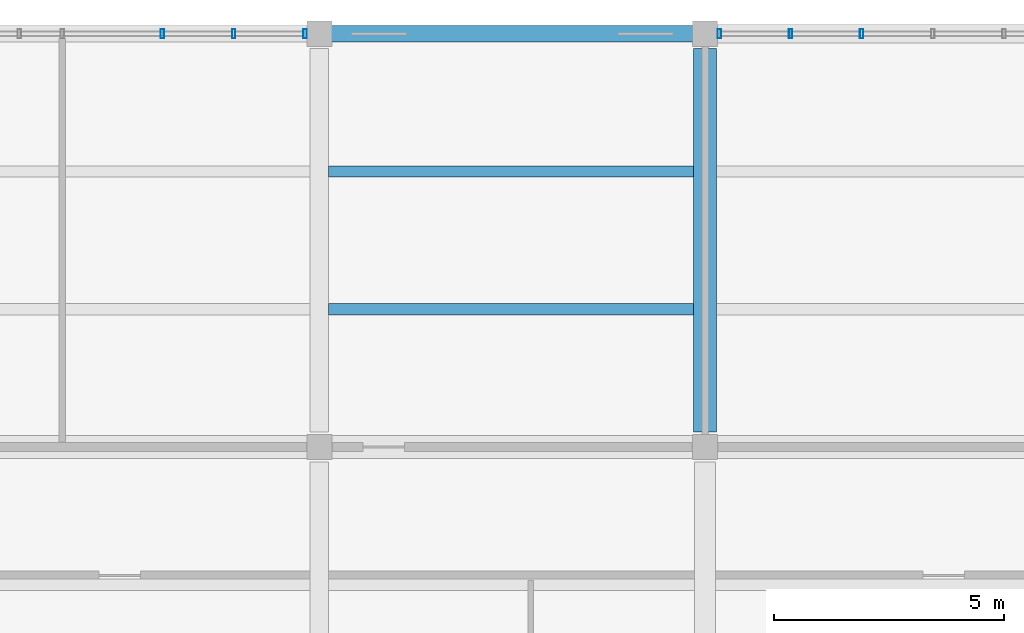
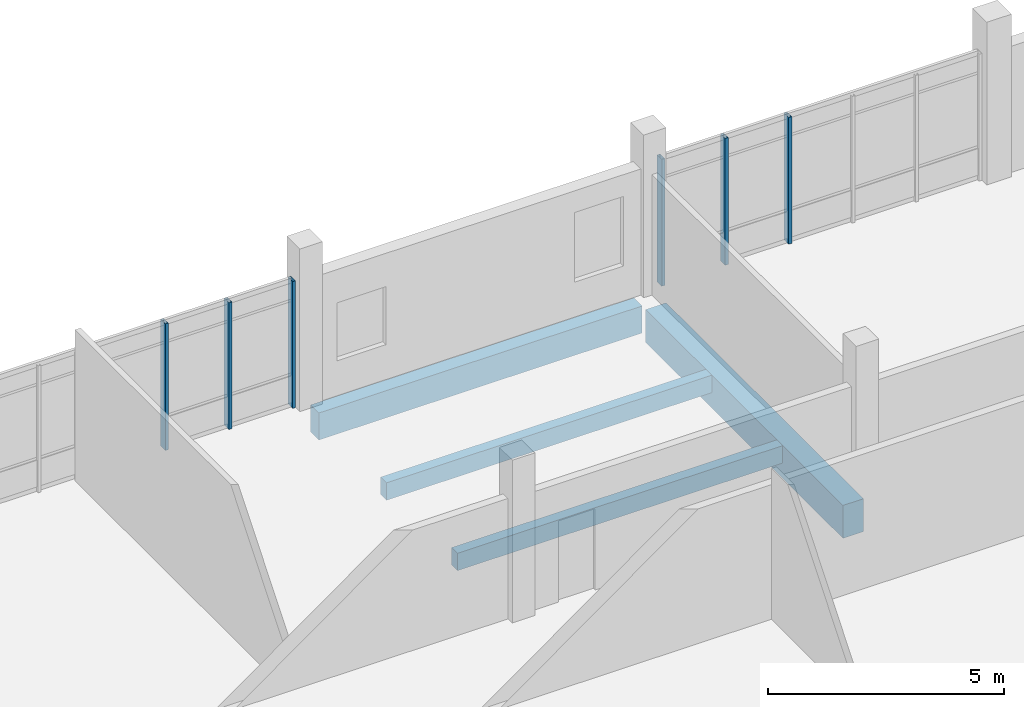
# One storey, part 80 of 130: 6 members, 4 beams, 2 elements without a shape of their own.
"""IFC4 building model written with IfcOpenShell, lengths in metres."""

from ifc_helpers import new_model, si_unit, direction, frame, origin, origin_2d, place, context, subcontext, project, spatial, rectangle, hollow_rectangle, extrude, material, layer, layer_set, material_profile, profile_set, type_object, element, aggregate, save


model = new_model("IFC4")

# Units and contexts
model_context = context("Model", 3, precision=1e-05, world=origin(), true_north=direction((0.0, 1.0)))
body_context = subcontext(model_context, "Body", "Model", "MODEL_VIEW")
ifc_project = project(units=[si_unit("LENGTHUNIT", "METRE"), si_unit("AREAUNIT", "SQUARE_METRE"), si_unit("VOLUMEUNIT", "CUBIC_METRE"), si_unit("PLANEANGLEUNIT", "RADIAN"), si_unit("MASSUNIT", "GRAM", prefix="KILO")], contexts=[model_context])

# Site, building, storey
site_placement = place(None, origin())
site = spatial("IfcSite", under=ifc_project, at=site_placement, CompositionType="ELEMENT")
building_placement = place(site_placement, origin())
building = spatial("IfcBuilding", under=site, at=building_placement, Name="Vireocrest Preparatory School", CompositionType="ELEMENT")
storey_placement = place(building_placement, frame((0.0, 0.0, 9.0)))
storey = spatial("IfcBuildingStorey", under=building, at=storey_placement, Name="L02", CompositionType="ELEMENT", Elevation=9.0)

# Curtain wall, members
ifc_material_1 = material(Name="Thermally broken aluminium EN AW-6063-T6", Category="aluminium")
ifc_layer = layer(ifc_material_1, 0.179931640625)
ifc_layer_set = layer_set([ifc_layer], Name="Thermally broken aluminium EN AW-6063-T6")
curtain_wall_type = type_object("IfcCurtainWallType", Name="North Street Curtain Wall 8400x4000", PredefinedType="USERDEFINED", material=ifc_layer_set)
curtain_wall_1_placement = place(storey_placement, origin())
curtain_wall_1 = element("IfcCurtainWall", 1, at=curtain_wall_1_placement, inside=storey, type_object=curtain_wall_type, Name="Curtain Wall CW05 CW_L02_CW05_0674_1128_090", ObjectType="CURTAIN WALL", PredefinedType="USERDEFINED")
ifc_material_profile_1 = material_profile(ifc_material_1, hollow_rectangle(XDim=0.074951171875, YDim=0.199951171875, WallThickness=0.0048828125, at=origin_2d()), Name="ALU 75x200x5")
ifc_profile_set_1 = profile_set([ifc_material_profile_1], Name="Thermally broken aluminium EN AW-6063-T6")
member_type = type_object("IfcMemberType", Name="CW Mullion 75x200x5", PredefinedType="MULLION", material=ifc_profile_set_1)
member_1_placement = place(storey_placement, frame((72.177978515625, 112.800048828125, 0.0), z_axis=(0.0, 0.0, 1.0), x_axis=(1.0, 0.0, 0.0)))
member_1 = element("IfcMember", 2, at=member_1_placement, type_object=member_type, Name="CW Mullion ML3 CW_L02_CW05_0674_1128_090-4", PredefinedType="MULLION", context=body_context, shape_type="SweptSolid", body=[
    extrude(hollow_rectangle(XDim=0.074951171875, YDim=0.199951171875, WallThickness=0.0048828125, at=origin_2d()), origin(), (0.0, 0.0, 1.0), 3.27490234375),
])
member_2_placement = place(storey_placement, frame((73.73388671875, 112.800048828125, 0.0), z_axis=(0.0, 0.0, 1.0), x_axis=(1.0, 0.0, 0.0)))
member_2 = element("IfcMember", 3, at=member_2_placement, type_object=member_type, Name="CW Mullion ML3 CW_L02_CW05_0674_1128_090-5", PredefinedType="MULLION", context=body_context, shape_type="SweptSolid", body=[
    extrude(hollow_rectangle(XDim=0.074951171875, YDim=0.199951171875, WallThickness=0.0048828125, at=origin_2d()), origin(), (0.0, 0.0, 1.0), 3.27490234375),
])
member_3_placement = place(storey_placement, frame((75.2900390625, 112.800048828125, 0.0), z_axis=(0.0, 0.0, 1.0), x_axis=(1.0, 0.0, 0.0)))
member_3 = element("IfcMember", 4, at=member_3_placement, type_object=member_type, Name="CW Mullion ML3 CW_L02_CW05_0674_1128_090-6", PredefinedType="MULLION", context=body_context, shape_type="SweptSolid", body=[
    extrude(hollow_rectangle(XDim=0.074951171875, YDim=0.199951171875, WallThickness=0.0048828125, at=origin_2d()), origin(), (0.0, 0.0, 1.0), 3.27490234375),
])
aggregate(curtain_wall_1, [member_1, member_2, member_3])

curtain_wall_2_placement = place(storey_placement, origin())
curtain_wall_2 = element("IfcCurtainWall", 5, at=curtain_wall_2_placement, inside=storey, type_object=curtain_wall_type, Name="Curtain Wall CW05 CW_L02_CW05_0842_1128_090", ObjectType="CURTAIN WALL", PredefinedType="USERDEFINED")
member_4_placement = place(storey_placement, frame((84.31005859375, 112.800048828125, 0.0), z_axis=(0.0, 0.0, 1.0), x_axis=(1.0, 0.0, 0.0)))
member_4 = element("IfcMember", 6, at=member_4_placement, type_object=member_type, Name="CW Mullion ML3 CW_L02_CW05_0842_1128_090-1", PredefinedType="MULLION", context=body_context, shape_type="SweptSolid", body=[
    extrude(hollow_rectangle(XDim=0.074951171875, YDim=0.199951171875, WallThickness=0.0048828125, at=origin_2d()), origin(), (0.0, 0.0, 1.0), 3.27490234375),
])
member_5_placement = place(storey_placement, frame((85.861083984375, 112.800048828125, 0.0), z_axis=(0.0, 0.0, 1.0), x_axis=(1.0, 0.0, 0.0)))
member_5 = element("IfcMember", 7, at=member_5_placement, type_object=member_type, Name="CW Mullion ML3 CW_L02_CW05_0842_1128_090-2", PredefinedType="MULLION", context=body_context, shape_type="SweptSolid", body=[
    extrude(hollow_rectangle(XDim=0.074951171875, YDim=0.199951171875, WallThickness=0.0048828125, at=origin_2d()), origin(), (0.0, 0.0, 1.0), 3.27490234375),
])
member_6_placement = place(storey_placement, frame((87.412109375, 112.800048828125, 0.0), z_axis=(0.0, 0.0, 1.0), x_axis=(1.0, 0.0, 0.0)))
member_6 = element("IfcMember", 8, at=member_6_placement, type_object=member_type, Name="CW Mullion ML3 CW_L02_CW05_0842_1128_090-3", PredefinedType="MULLION", context=body_context, shape_type="SweptSolid", body=[
    extrude(hollow_rectangle(XDim=0.074951171875, YDim=0.199951171875, WallThickness=0.0048828125, at=origin_2d()), origin(), (0.0, 0.0, 1.0), 3.27490234375),
])
aggregate(curtain_wall_2, [member_4, member_5, member_6])

# Beams
ifc_material_2 = material(Name="Concrete 40 MPa", Category="concrete")
ifc_material_profile_2 = material_profile(ifc_material_2, rectangle(XDim=0.35009765625, YDim=0.699951171875, at=origin_2d()), Name="RC 350x700")
ifc_profile_set_2 = profile_set([ifc_material_profile_2], Name="Concrete 40 MPa")
beam_type_1 = type_object("IfcBeamType", Name="RC Laboratory Girder 350x700", PredefinedType="BEAM", material=ifc_profile_set_2)
beam_1_placement = place(storey_placement, frame((75.85009765625, 112.800048828125, -0.6298828125), z_axis=(1.0, 0.0, 0.0), x_axis=(0.0, 1.0, 0.0)))
element("IfcBeam", 9, at=beam_1_placement, inside=storey, type_object=beam_type_1, Name="Primary Girder B06 L02-0778", PredefinedType="BEAM", context=body_context, shape_type="SweptSolid", body=[
    extrude(rectangle(XDim=0.35009765625, YDim=0.699951171875, at=origin_2d()), origin(), (0.0, 0.0, 1.0), 7.89990234375),
])
ifc_material_profile_3 = material_profile(ifc_material_2, rectangle(XDim=0.5, YDim=0.85009765625, at=origin_2d()), Name="RC 500x850")
ifc_profile_set_3 = profile_set([ifc_material_profile_3], Name="Concrete 40 MPa")
beam_type_2 = type_object("IfcBeamType", Name="RC Podium Girder 500x850", PredefinedType="BEAM", material=ifc_profile_set_3)
beam_2_placement = place(storey_placement, frame((84.0, 104.125, -0.705078125), z_axis=(0.0, 1.0, 0.0), x_axis=(-1.0, 0.0, 0.0)))
element("IfcBeam", 10, at=beam_2_placement, inside=storey, type_object=beam_type_2, Name="Primary Girder B14 L02-0835", PredefinedType="BEAM", context=body_context, shape_type="SweptSolid", body=[
    extrude(rectangle(XDim=0.5, YDim=0.85009765625, at=origin_2d()), origin(), (0.0, 0.0, 1.0), 8.35009765625),
])
ifc_material_profile_4 = material_profile(ifc_material_2, rectangle(XDim=0.25, YDim=0.449951171875, at=origin_2d()), Name="RC 250x450")
ifc_profile_set_4 = profile_set([ifc_material_profile_4], Name="Concrete 40 MPa")
beam_type_3 = type_object("IfcBeamType", Name="RC Secondary Floor Joist 250x450", PredefinedType="JOIST", material=ifc_profile_set_4)
for number, where, z_axis, x_axis, name in (
    (11, (75.800048828125, 106.800048828125, -0.5048828125), (1.0, 0.0, 0.0), (0.0, 1.0, 0.0), "Secondary Joist J01 L02-0956"),
    (12, (75.800048828125, 109.800048828125, -0.5048828125), (1.0, 0.0, 0.0), (0.0, 1.0, 0.0), "Secondary Joist J01 L02-0957"),
):
    element("IfcBeam", number, at=place(storey_placement, frame(where, z_axis=z_axis, x_axis=x_axis)), inside=storey, type_object=beam_type_3, Name=name, PredefinedType="JOIST", context=body_context, shape_type="SweptSolid", body=[
        extrude(rectangle(XDim=0.25, YDim=0.449951171875, at=origin_2d()), origin(), (0.0, 0.0, 1.0), 7.949951171875),
    ])

save(model, "model.ifc")
